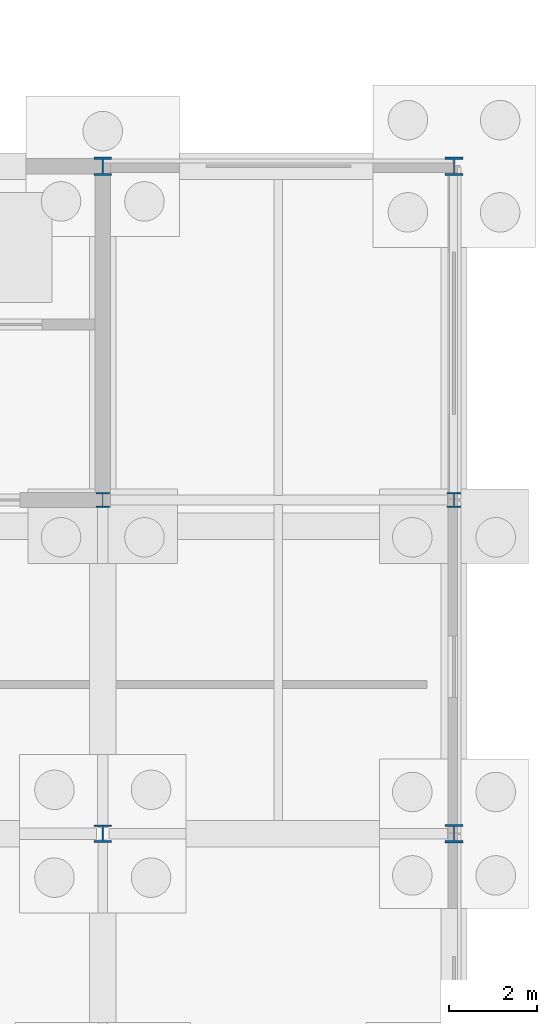
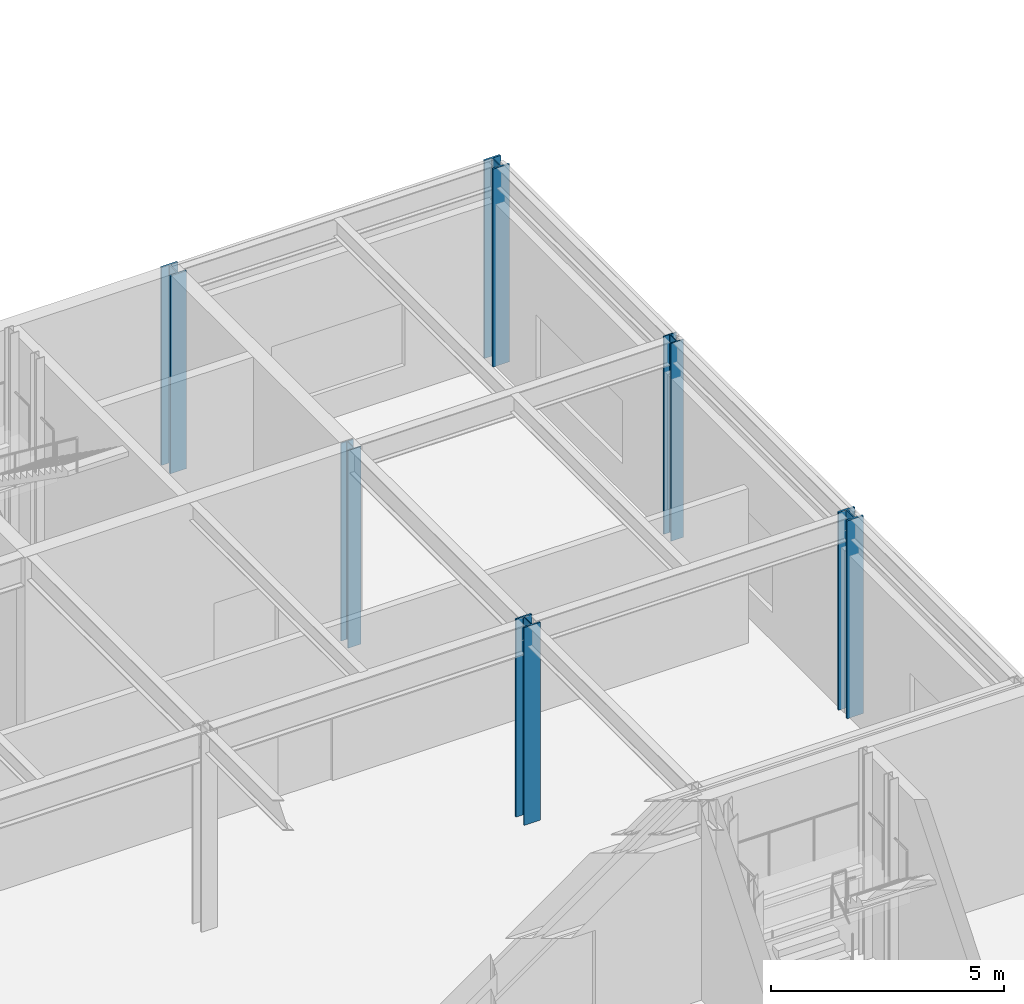
# One storey, part 27 of 62: 6 columns.
"""IFC4 building model written with IfcOpenShell, lengths in metres."""

from ifc_helpers import new_model, si_unit, direction, frame, origin, origin_2d, place, context, subcontext, project, spatial, i_section, extrude, material, material_profile, profile_set, type_object, element, save


model = new_model("IFC4")

# Units and contexts
model_context = context("Model", 3, precision=1e-05, world=origin(), true_north=direction((0.0, 1.0)))
body_context = subcontext(model_context, "Body", "Model", "MODEL_VIEW")
ifc_project = project(units=[si_unit("LENGTHUNIT", "METRE"), si_unit("AREAUNIT", "SQUARE_METRE"), si_unit("VOLUMEUNIT", "CUBIC_METRE"), si_unit("PLANEANGLEUNIT", "RADIAN"), si_unit("MASSUNIT", "GRAM", prefix="KILO")], contexts=[model_context])

# Site, building, storey
site_placement = place(None, origin())
site = spatial("IfcSite", under=ifc_project, at=site_placement, CompositionType="ELEMENT")
building_placement = place(site_placement, origin())
building = spatial("IfcBuilding", under=site, at=building_placement, Name="Zulena Civic Courthouse", CompositionType="ELEMENT")
storey_placement = place(building_placement, origin())
storey = spatial("IfcBuildingStorey", under=building, at=storey_placement, Name="L00", CompositionType="ELEMENT", Elevation=0.0)

# Columns
ifc_material = material(Name="Steel ASTM A992 Grade 50", Category="steel")
ifc_material_profile_1 = material_profile(ifc_material, i_section(OverallWidth=0.31298828125, OverallDepth=0.3330078125, WebThickness=0.01806640625, FlangeThickness=0.0283203125, FilletRadius=0.01513671875, at=origin_2d()), Name="W12X120")
ifc_profile_set_1 = profile_set([ifc_material_profile_1], Name="Steel ASTM A992 Grade 50")
column_type_1 = type_object("IfcColumnType", Name="Col_W12X120", PredefinedType="COLUMN", material=ifc_profile_set_1)
for number, where, z_axis, x_axis, name in (
    (1, (164.0, 45.60009765625, 0.0), (0.0, 0.0, 1.0), (1.0, 0.0, 0.0), "col:V3:L00:164.0:45.6"),
    (2, (172.0, 45.60009765625, 0.0), (0.0, 0.0, 1.0), (1.0, 0.0, 0.0), "col:V3:L00:172.0:45.6"),
):
    element("IfcColumn", number, at=place(storey_placement, frame(where, z_axis=z_axis, x_axis=x_axis)), inside=storey, type_object=column_type_1, Name=name, PredefinedType="COLUMN", context=body_context, shape_type="SweptSolid", body=[
        extrude(i_section(OverallWidth=0.31298828125, OverallDepth=0.3330078125, WebThickness=0.01806640625, FlangeThickness=0.0283203125, FilletRadius=0.01513671875, at=origin_2d()), origin(), (0.0, 0.0, 1.0), 5.18505859375),
    ])
ifc_material_profile_2 = material_profile(ifc_material, i_section(OverallWidth=0.40087890625, OverallDepth=0.39892578125, WebThickness=0.02490234375, FlangeThickness=0.03955078125, FilletRadius=0.01513671875, at=origin_2d()), Name="W14X211")
ifc_profile_set_2 = profile_set([ifc_material_profile_2], Name="Steel ASTM A992 Grade 50")
column_type_2 = type_object("IfcColumnType", Name="Col_W14X211", PredefinedType="COLUMN", material=ifc_profile_set_2)
column_placement = place(storey_placement, frame((164.0, 38.0, 0.0), z_axis=(0.0, 0.0, 1.0), x_axis=(1.0, 0.0, 0.0)))
element("IfcColumn", 3, at=column_placement, inside=storey, type_object=column_type_2, Name="col:V3:L00:164.0:38.0", PredefinedType="COLUMN", context=body_context, shape_type="SweptSolid", body=[
    extrude(i_section(OverallWidth=0.40087890625, OverallDepth=0.39892578125, WebThickness=0.02490234375, FlangeThickness=0.03955078125, FilletRadius=0.01513671875, at=origin_2d()), origin(), (0.0, 0.0, 1.0), 5.18505859375),
])
ifc_material_profile_3 = material_profile(ifc_material, i_section(OverallWidth=0.406005859375, OverallDepth=0.416015625, WebThickness=0.02978515625, FlangeThickness=0.048095703125, FilletRadius=0.01513671875, at=origin_2d()), Name="W14X257")
ifc_profile_set_3 = profile_set([ifc_material_profile_3], Name="Steel ASTM A992 Grade 50")
column_type_3 = type_object("IfcColumnType", Name="Col_W14X257", PredefinedType="COLUMN", material=ifc_profile_set_3)
for number, where, z_axis, x_axis, name in (
    (4, (164.0, 53.199951171875, 0.0), (0.0, 0.0, 1.0), (1.0, 0.0, 0.0), "col:V3:L00:164.0:53.2"),
    (5, (172.0, 38.0, 0.0), (0.0, 0.0, 1.0), (1.0, 0.0, 0.0), "col:V3:L00:172.0:38.0"),
    (6, (172.0, 53.199951171875, 0.0), (0.0, 0.0, 1.0), (1.0, 0.0, 0.0), "col:V3:L00:172.0:53.2"),
):
    element("IfcColumn", number, at=place(storey_placement, frame(where, z_axis=z_axis, x_axis=x_axis)), inside=storey, type_object=column_type_3, Name=name, PredefinedType="COLUMN", context=body_context, shape_type="SweptSolid", body=[
        extrude(i_section(OverallWidth=0.406005859375, OverallDepth=0.416015625, WebThickness=0.02978515625, FlangeThickness=0.048095703125, FilletRadius=0.01513671875, at=origin_2d()), origin(), (0.0, 0.0, 1.0), 5.18505859375),
    ])

save(model, "model.ifc")
